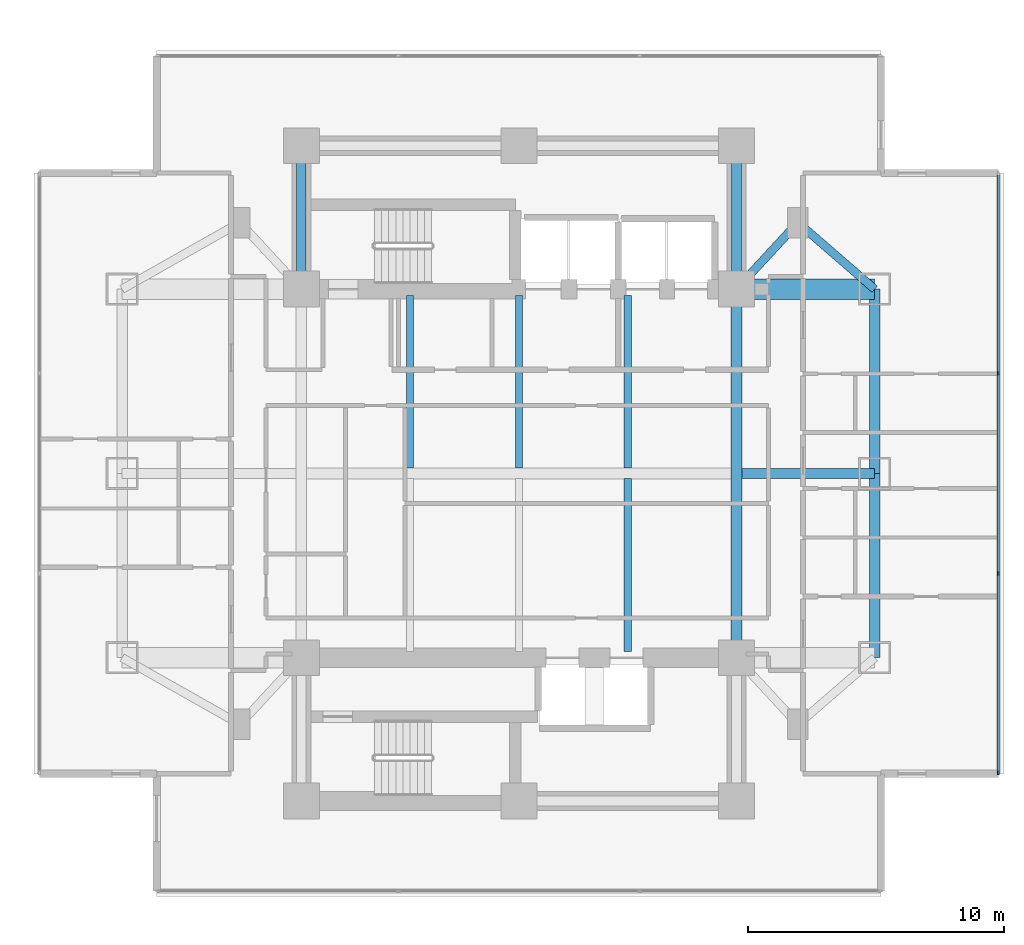
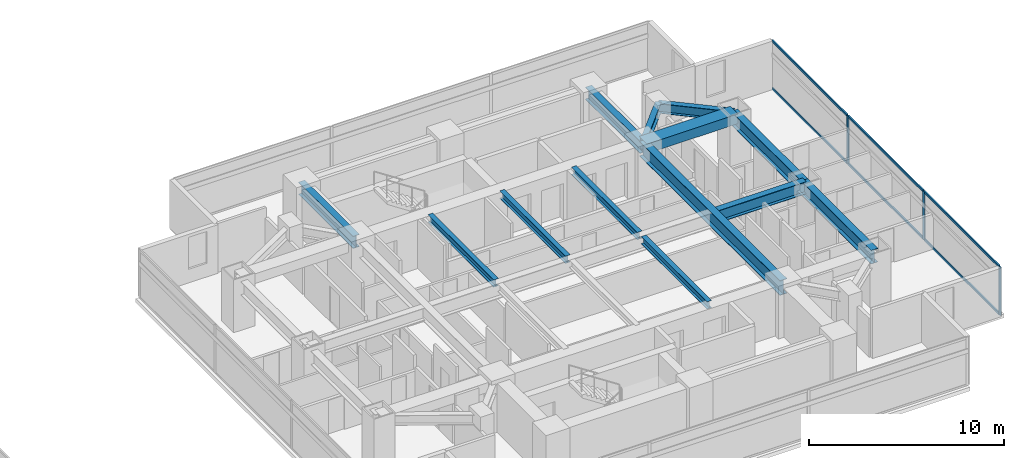
# One storey, part 10 of 25: 13 beams, 9 members, 1 element without a shape of its own.
"""IFC4 building model written with IfcOpenShell, lengths in metres."""

from ifc_helpers import new_model, si_unit, direction, frame, origin, origin_2d, place, context, subcontext, project, spatial, rectangle, i_section, extrude, material, material_profile, profile_set, type_object, element, aggregate, save


model = new_model("IFC4")

# Units and contexts
model_context = context("Model", 3, precision=1e-05, world=origin(), true_north=direction((0.0, 1.0)))
body_context = subcontext(model_context, "Body", "Model", "MODEL_VIEW")
ifc_project = project(units=[si_unit("LENGTHUNIT", "METRE"), si_unit("AREAUNIT", "SQUARE_METRE"), si_unit("VOLUMEUNIT", "CUBIC_METRE"), si_unit("PLANEANGLEUNIT", "RADIAN"), si_unit("MASSUNIT", "GRAM", prefix="KILO")], contexts=[model_context])

# Site, building, storey
site_placement = place(None, origin())
site = spatial("IfcSite", under=ifc_project, at=site_placement, CompositionType="ELEMENT")
building_placement = place(site_placement, origin())
building = spatial("IfcBuilding", under=site, at=building_placement, Name="Mirazonda Arch Towers", CompositionType="ELEMENT")
storey_placement = place(building_placement, frame((0.0, 0.0, 35.60009765625)))
storey = spatial("IfcBuildingStorey", under=building, at=storey_placement, Name="L09", CompositionType="ELEMENT", Elevation=35.60009765625)

# Beams
ifc_material_1 = material(Name="Steel ASTM A992 Grade 50", Category="steel")
ifc_material_profile_1 = material_profile(ifc_material_1, i_section(OverallWidth=0.39990234375, OverallDepth=0.85595703125, WebThickness=0.018310546875, FlangeThickness=0.029296875, at=origin_2d()), Name="W33X201")
ifc_profile_set_1 = profile_set([ifc_material_profile_1], Name="Steel ASTM A992 Grade 50")
beam_type_1 = type_object("IfcBeamType", Name="BM-EXT-W33X201", PredefinedType="USERDEFINED", material=ifc_profile_set_1)
for number, where, z_axis, x_axis, name in (
    (1, (90.39990234375, 20.800048828125, 2.6318359375), (0.0, 1.0, 0.0), (-1.0, 0.0, 0.0), "L09 Floor Beam BM-T2-L09-NS-E-20"),
    (2, (90.39990234375, 28.0, 2.6318359375), (0.0, 1.0, 0.0), (-1.0, 0.0, 0.0), "L09 Floor Beam BM-T2-L09-NS-E-28"),
):
    element("IfcBeam", number, at=place(storey_placement, frame(where, z_axis=z_axis, x_axis=x_axis)), inside=storey, type_object=beam_type_1, Name=name, ObjectType="GIRDER", PredefinedType="USERDEFINED", context=body_context, shape_type="SweptSolid", body=[
        extrude(i_section(OverallWidth=0.39990234375, OverallDepth=0.85595703125, WebThickness=0.018310546875, FlangeThickness=0.029296875, at=origin_2d()), origin(), (0.0, 0.0, 1.0), 7.199951171875),
    ])
ifc_material_profile_2 = material_profile(ifc_material_1, i_section(OverallWidth=0.280029296875, OverallDepth=0.462890625, WebThickness=0.0107421875, FlangeThickness=0.017333984375, at=origin_2d()), Name="W18X76")
ifc_profile_set_2 = profile_set([ifc_material_profile_2], Name="Steel ASTM A992 Grade 50")
beam_type_2 = type_object("IfcBeamType", Name="BM-INT-W18X76", PredefinedType="JOIST", material=ifc_profile_set_2)
for number, where, z_axis, x_axis, name in (
    (3, (72.25, 28.205078125, 2.828369140625), (0.0, 1.0, 0.0), (-1.0, 0.0, 0.0), "L09 Floor Beam BM-T2-L09-J-722-28"),
    (4, (76.5, 28.205078125, 2.828369140625), (0.0, 1.0, 0.0), (-1.0, 0.0, 0.0), "L09 Floor Beam BM-T2-L09-J-765-28"),
    (5, (80.75, 21.0400390625, 2.828369140625), (0.0, 1.0, 0.0), (-1.0, 0.0, 0.0), "L09 Floor Beam BM-T2-L09-J-807-20"),
    (6, (80.75, 28.205078125, 2.828369140625), (0.0, 1.0, 0.0), (-1.0, 0.0, 0.0), "L09 Floor Beam BM-T2-L09-J-807-28"),
):
    element("IfcBeam", number, at=place(storey_placement, frame(where, z_axis=z_axis, x_axis=x_axis)), inside=storey, type_object=beam_type_2, Name=name, PredefinedType="JOIST", context=body_context, shape_type="SweptSolid", body=[
        extrude(i_section(OverallWidth=0.280029296875, OverallDepth=0.462890625, WebThickness=0.0107421875, FlangeThickness=0.017333984375, at=origin_2d()), origin(), (0.0, 0.0, 1.0), 6.7548828125),
    ])
ifc_material_profile_3 = material_profile(ifc_material_1, i_section(OverallWidth=0.324951171875, OverallDepth=0.615966796875, WebThickness=0.013916015625, FlangeThickness=0.021484375, at=origin_2d()), Name="W24X117")
ifc_profile_set_3 = profile_set([ifc_material_profile_3], Name="Steel ASTM A992 Grade 50")
beam_type_3 = type_object("IfcBeamType", Name="BM-INT-W24X117", PredefinedType="BEAM", material=ifc_profile_set_3)
beam_1_placement = place(storey_placement, frame((87.39990234375, 37.800048828125, 2.751953125), z_axis=(-0.678251444854, -0.734829897019, 0.0), x_axis=(0.734829897019, -0.678251444854, 0.0)))
element("IfcBeam", 7, at=beam_1_placement, inside=storey, type_object=beam_type_3, Name="L09 Floor Beam BM-T2-L09-PL-NE1", PredefinedType="BEAM", context=body_context, shape_type="SweptSolid", body=[
    extrude(i_section(OverallWidth=0.324951171875, OverallDepth=0.615966796875, WebThickness=0.013916015625, FlangeThickness=0.021484375, at=origin_2d()), origin(), (0.0, 0.0, 1.0), 3.538330078125),
])
beam_2_placement = place(storey_placement, frame((87.39990234375, 37.800048828125, 2.751953125), z_axis=(0.755676908098, -0.654944585876, 0.0), x_axis=(0.654944585876, 0.755676908098, 0.0)))
element("IfcBeam", 8, at=beam_2_placement, inside=storey, type_object=beam_type_3, Name="L09 Floor Beam BM-T2-L09-PL-NE2", PredefinedType="BEAM", context=body_context, shape_type="SweptSolid", body=[
    extrude(i_section(OverallWidth=0.324951171875, OverallDepth=0.615966796875, WebThickness=0.013916015625, FlangeThickness=0.021484375, at=origin_2d()), origin(), (0.0, 0.0, 1.0), 3.969970703125),
])
ifc_material_profile_4 = material_profile(ifc_material_1, i_section(OverallWidth=0.381103515625, OverallDepth=0.77294921875, WebThickness=0.0166015625, FlangeThickness=0.027099609375, at=origin_2d()), Name="W30X173")
ifc_profile_set_4 = profile_set([ifc_material_profile_4], Name="Steel ASTM A992 Grade 50")
beam_type_4 = type_object("IfcBeamType", Name="BM-INT-W30X173", PredefinedType="USERDEFINED", material=ifc_profile_set_4)
for number, where, z_axis, x_axis, name in (
    (9, (68.0, 35.199951171875, 2.67333984375), (0.0, 1.0, 0.0), (-1.0, 0.0, 0.0), "L09 Floor Beam BM-T2-L09-CNW"),
    (10, (85.0, 35.199951171875, 2.67333984375), (0.0, 1.0, 0.0), (-1.0, 0.0, 0.0), "L09 Floor Beam BM-T2-L09-CNE"),
):
    element("IfcBeam", number, at=place(storey_placement, frame(where, z_axis=z_axis, x_axis=x_axis)), inside=storey, type_object=beam_type_4, Name=name, ObjectType="GIRDER", PredefinedType="USERDEFINED", context=body_context, shape_type="SweptSolid", body=[
        extrude(i_section(OverallWidth=0.381103515625, OverallDepth=0.77294921875, WebThickness=0.0166015625, FlangeThickness=0.027099609375, at=origin_2d()), origin(), (0.0, 0.0, 1.0), 5.60009765625),
    ])
beam_3_placement = place(storey_placement, frame((85.208984375, 28.0, 2.67333984375), z_axis=(1.0, 0.0, 0.0), x_axis=(0.0, 1.0, 0.0)))
element("IfcBeam", 11, at=beam_3_placement, inside=storey, type_object=beam_type_4, Name="L09 Floor Beam BM-T2-L09-GE2", ObjectType="GIRDER", PredefinedType="USERDEFINED", context=body_context, shape_type="SweptSolid", body=[
    extrude(i_section(OverallWidth=0.381103515625, OverallDepth=0.77294921875, WebThickness=0.0166015625, FlangeThickness=0.027099609375, at=origin_2d()), origin(), (0.0, 0.0, 1.0), 5.19091796875),
])
ifc_material_profile_5 = material_profile(ifc_material_1, i_section(OverallWidth=0.41796875, OverallDepth=0.927001953125, WebThickness=0.019287109375, FlangeThickness=0.031982421875, at=origin_2d()), Name="W36X231")
ifc_profile_set_5 = profile_set([ifc_material_profile_5], Name="Steel ASTM A992 Grade 50")
beam_type_5 = type_object("IfcBeamType", Name="BM-INT-W36X231", PredefinedType="USERDEFINED", material=ifc_profile_set_5)
beam_4_placement = place(storey_placement, frame((85.0, 20.800048828125, 2.596435546875), z_axis=(0.0, 1.0, 0.0), x_axis=(-1.0, 0.0, 0.0)))
element("IfcBeam", 12, at=beam_4_placement, inside=storey, type_object=beam_type_5, Name="L09 Floor Beam BM-T2-L09-NS-CE-FULL", ObjectType="GIRDER", PredefinedType="USERDEFINED", context=body_context, shape_type="SweptSolid", body=[
    extrude(i_section(OverallWidth=0.41796875, OverallDepth=0.927001953125, WebThickness=0.019287109375, FlangeThickness=0.031982421875, at=origin_2d()), origin(), (0.0, 0.0, 1.0), 14.39990234375),
])
ifc_material_2 = material(Name="Concrete C60/75", Category="concrete")
ifc_material_profile_6 = material_profile(ifc_material_2, rectangle(XDim=0.800048828125, YDim=0.60009765625, at=origin_2d()), Name="RCCB800x600")
ifc_profile_set_6 = profile_set([ifc_material_profile_6], Name="Concrete C60/75")
beam_type_6 = type_object("IfcBeamType", Name="CB-INT-RCCB800x600", PredefinedType="SPANDREL", material=ifc_profile_set_6)
beam_5_placement = place(storey_placement, frame((85.0, 35.199951171875, 2.760009765625), z_axis=(1.0, 0.0, 0.0), x_axis=(0.0, 1.0, 0.0)))
element("IfcBeam", 13, at=beam_5_placement, inside=storey, type_object=beam_type_6, Name="L09 Floor Beam CBC-T2-L09-NE", PredefinedType="SPANDREL", context=body_context, shape_type="SweptSolid", body=[
    extrude(rectangle(XDim=0.800048828125, YDim=0.60009765625, at=origin_2d()), origin(), (0.0, 0.0, 1.0), 5.39990234375),
])

# Curtain wall, members
ifc_material_3 = material(Name="Anodised Aluminium and Low-E Glass", Category="aluminium")
curtain_wall_type = type_object("IfcCurtainWallType", Name="CW-HTL-UNIT", PredefinedType="NOTDEFINED", material=ifc_material_3)
curtain_wall_placement = place(storey_placement, origin())
curtain_wall = element("IfcCurtainWall", 14, at=curtain_wall_placement, inside=storey, type_object=curtain_wall_type, Name="L09 T2 E Facade CW-L09-T2-E", PredefinedType="NOTDEFINED")
ifc_material_4 = material(Name="Anodised Aluminium Alloy", Category="aluminium")
ifc_material_profile_7 = material_profile(ifc_material_4, rectangle(XDim=0.074951171875, YDim=0.1650390625, at=origin_2d()), Name="ALU-MULL-75x165")
ifc_profile_set_7 = profile_set([ifc_material_profile_7], Name="Anodised Aluminium Alloy")
member_type_1 = type_object("IfcMemberType", Name="MULL-CW-HTL-UNIT", PredefinedType="MULLION", material=ifc_profile_set_7)
member_1_placement = place(storey_placement, frame((95.23193359375, 16.30419921875, 0.0), z_axis=(0.0, 0.0, 1.0), x_axis=(-1.0, 0.0, 0.0)))
member_1 = element("IfcMember", 15, at=member_1_placement, type_object=member_type_1, Name="CW-112 mullion 1", PredefinedType="MULLION", context=body_context, shape_type="SweptSolid", body=[
    extrude(rectangle(XDim=0.074951171875, YDim=0.1650390625, at=origin_2d()), origin(), (0.0, 0.0, 1.0), 3.039794921875),
])
member_2_placement = place(storey_placement, frame((95.23193359375, 24.0888671875, 0.0), z_axis=(0.0, 0.0, 1.0), x_axis=(-1.0, 0.0, 0.0)))
member_2 = element("IfcMember", 16, at=member_2_placement, type_object=member_type_1, Name="CW-112 mullion 2", PredefinedType="MULLION", context=body_context, shape_type="SweptSolid", body=[
    extrude(rectangle(XDim=0.074951171875, YDim=0.1650390625, at=origin_2d()), origin(), (0.0, 0.0, 1.0), 3.039794921875),
])
member_3_placement = place(storey_placement, frame((95.23193359375, 31.9111328125, 0.0), z_axis=(0.0, 0.0, 1.0), x_axis=(-1.0, 0.0, 0.0)))
member_3 = element("IfcMember", 17, at=member_3_placement, type_object=member_type_1, Name="CW-112 mullion 3", PredefinedType="MULLION", context=body_context, shape_type="SweptSolid", body=[
    extrude(rectangle(XDim=0.074951171875, YDim=0.1650390625, at=origin_2d()), origin(), (0.0, 0.0, 1.0), 3.039794921875),
])
ifc_material_profile_8 = material_profile(ifc_material_4, rectangle(XDim=0.074951171875, YDim=0.14501953125, at=origin_2d()), Name="ALU-TRAN-75x145")
ifc_profile_set_8 = profile_set([ifc_material_profile_8], Name="Anodised Aluminium Alloy")
member_type_2 = type_object("IfcMemberType", Name="TRAN-CW-HTL-UNIT", PredefinedType="USERDEFINED", material=ifc_profile_set_8)
member_4_placement = place(storey_placement, frame((95.23193359375, 16.341796875, 0.037353515625), z_axis=(0.0, 1.0, 0.0), x_axis=(-1.0, 0.0, 0.0)))
member_4 = element("IfcMember", 18, at=member_4_placement, type_object=member_type_2, Name="CW-112 transom 1.1", ObjectType="TRANSOM", PredefinedType="USERDEFINED", context=body_context, shape_type="SweptSolid", body=[
    extrude(rectangle(XDim=0.074951171875, YDim=0.14501953125, at=origin_2d()), origin(), (0.0, 0.0, 1.0), 7.709716796875),
])
member_5_placement = place(storey_placement, frame((95.23193359375, 16.341796875, 3.00244140625), z_axis=(0.0, 1.0, 0.0), x_axis=(-1.0, 0.0, 0.0)))
member_5 = element("IfcMember", 19, at=member_5_placement, type_object=member_type_2, Name="CW-112 transom 1.2", ObjectType="TRANSOM", PredefinedType="USERDEFINED", context=body_context, shape_type="SweptSolid", body=[
    extrude(rectangle(XDim=0.074951171875, YDim=0.14501953125, at=origin_2d()), origin(), (0.0, 0.0, 1.0), 7.709716796875),
])
member_6_placement = place(storey_placement, frame((95.23193359375, 24.12646484375, 0.037353515625), z_axis=(0.0, 1.0, 0.0), x_axis=(-1.0, 0.0, 0.0)))
member_6 = element("IfcMember", 20, at=member_6_placement, type_object=member_type_2, Name="CW-112 transom 2.1", ObjectType="TRANSOM", PredefinedType="USERDEFINED", context=body_context, shape_type="SweptSolid", body=[
    extrude(rectangle(XDim=0.074951171875, YDim=0.14501953125, at=origin_2d()), origin(), (0.0, 0.0, 1.0), 7.7470703125),
])
member_7_placement = place(storey_placement, frame((95.23193359375, 24.12646484375, 3.00244140625), z_axis=(0.0, 1.0, 0.0), x_axis=(-1.0, 0.0, 0.0)))
member_7 = element("IfcMember", 21, at=member_7_placement, type_object=member_type_2, Name="CW-112 transom 2.2", ObjectType="TRANSOM", PredefinedType="USERDEFINED", context=body_context, shape_type="SweptSolid", body=[
    extrude(rectangle(XDim=0.074951171875, YDim=0.14501953125, at=origin_2d()), origin(), (0.0, 0.0, 1.0), 7.7470703125),
])
member_8_placement = place(storey_placement, frame((95.23193359375, 31.948486328125, 0.037353515625), z_axis=(0.0, 1.0, 0.0), x_axis=(-1.0, 0.0, 0.0)))
member_8 = element("IfcMember", 22, at=member_8_placement, type_object=member_type_2, Name="CW-112 transom 3.1", ObjectType="TRANSOM", PredefinedType="USERDEFINED", context=body_context, shape_type="SweptSolid", body=[
    extrude(rectangle(XDim=0.074951171875, YDim=0.14501953125, at=origin_2d()), origin(), (0.0, 0.0, 1.0), 7.709716796875),
])
member_9_placement = place(storey_placement, frame((95.23193359375, 31.948486328125, 3.00244140625), z_axis=(0.0, 1.0, 0.0), x_axis=(-1.0, 0.0, 0.0)))
member_9 = element("IfcMember", 23, at=member_9_placement, type_object=member_type_2, Name="CW-112 transom 3.2", ObjectType="TRANSOM", PredefinedType="USERDEFINED", context=body_context, shape_type="SweptSolid", body=[
    extrude(rectangle(XDim=0.074951171875, YDim=0.14501953125, at=origin_2d()), origin(), (0.0, 0.0, 1.0), 7.709716796875),
])
aggregate(curtain_wall, [member_1, member_2, member_3, member_4, member_5, member_6, member_7, member_8, member_9])

save(model, "model.ifc")
